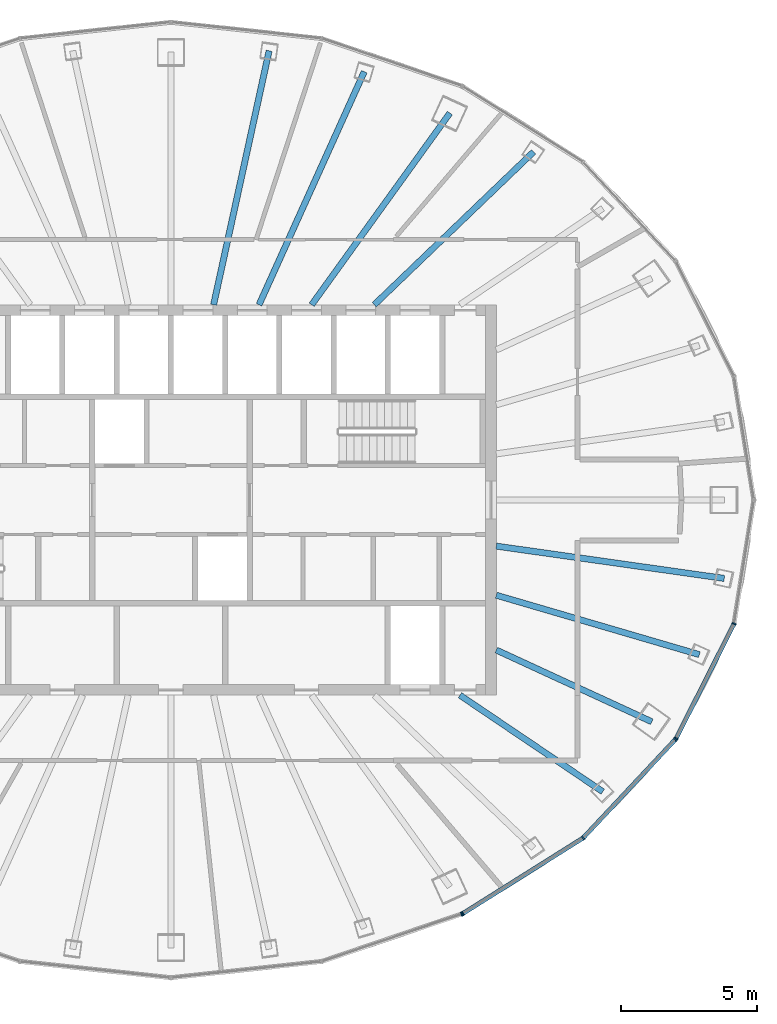
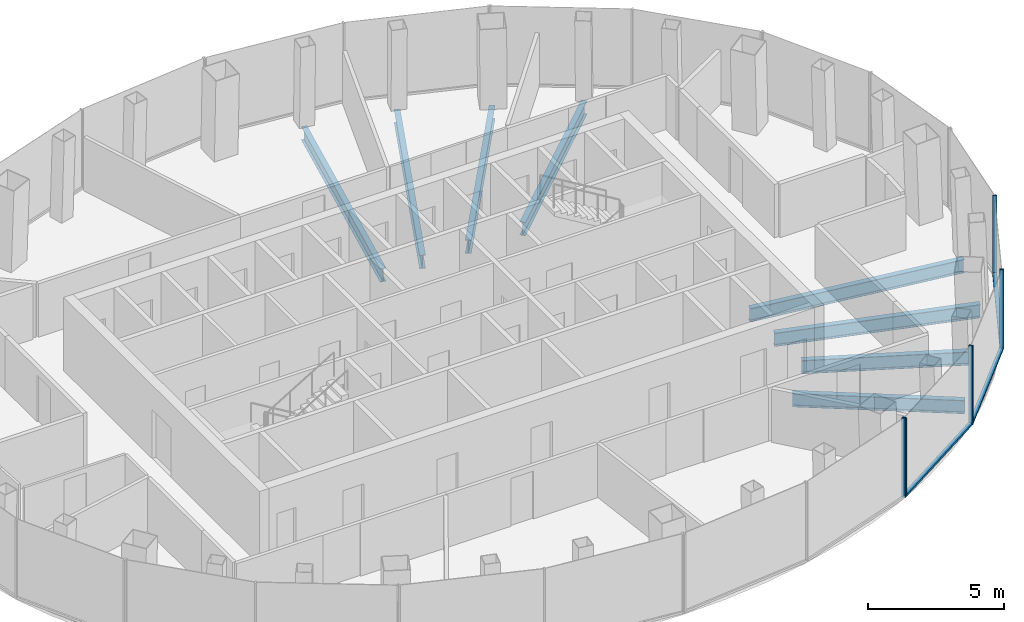
# One storey, part 5 of 12: 9 members, 8 beams, 3 elements without a shape of their own.
"""IFC4 building model written with IfcOpenShell, lengths in metres."""

from ifc_helpers import new_model, si_unit, direction, frame, origin, origin_2d, place, context, subcontext, project, spatial, rectangle, i_section, extrude, material, layer, layer_set, material_profile, profile_set, type_object, element, aggregate, save


model = new_model("IFC4")

# Units and contexts
model_context = context("Model", 3, precision=1e-05, world=origin(), true_north=direction((0.0, 1.0)))
body_context = subcontext(model_context, "Body", "Model", "MODEL_VIEW")
ifc_project = project(units=[si_unit("LENGTHUNIT", "METRE"), si_unit("AREAUNIT", "SQUARE_METRE"), si_unit("VOLUMEUNIT", "CUBIC_METRE"), si_unit("PLANEANGLEUNIT", "RADIAN"), si_unit("MASSUNIT", "GRAM", prefix="KILO")], contexts=[model_context])

# Site, building, storey
site_placement = place(None, origin())
site = spatial("IfcSite", under=ifc_project, at=site_placement, CompositionType="ELEMENT")
building_placement = place(site_placement, origin())
building = spatial("IfcBuilding", under=site, at=building_placement, Name="Siaravel Broadcast Tower", CompositionType="ELEMENT")
storey_placement = place(building_placement, frame((0.0, 0.0, 231.89990234375)))
storey = spatial("IfcBuildingStorey", under=building, at=storey_placement, Name="L56", CompositionType="ELEMENT", Elevation=231.89990234375)

# Beams
ifc_material_1 = material(Name="Steel S355", Category="steel")
ifc_material_profile_1 = material_profile(ifc_material_1, i_section(OverallWidth=0.2275390625, OverallDepth=0.6025390625, WebThickness=0.010498046875, FlangeThickness=0.014892578125, FilletRadius=0.0126953125, at=origin_2d()))
ifc_profile_set_1 = profile_set([ifc_material_profile_1], Name="Steel S355")
beam_type = type_object("IfcBeamType", Name="BM-UB 610x229x101", PredefinedType="BEAM", material=ifc_profile_set_1)
beam_1_placement = place(storey_placement, frame((13.377197265625, 12.841552734375, -0.451171875), z_axis=(-0.721404089, -0.692514361, 0.0), x_axis=(0.692514361, -0.721404089, 0.0)))
element("IfcBeam", 1, at=beam_1_placement, inside=storey, type_object=beam_type, Name="Radial beam RB06", PredefinedType="BEAM", context=body_context, shape_type="SweptSolid", body=[
    extrude(i_section(OverallWidth=0.2275390625, OverallDepth=0.6025390625, WebThickness=0.010498046875, FlangeThickness=0.014892578125, FilletRadius=0.0126953125, at=origin_2d()), origin(), (0.0, 0.0, 1.0), 8.146484375),
])
beam_2_placement = place(storey_placement, frame((10.28759765625, 14.2685546875, -0.451171875), z_axis=(-0.584818295, -0.811164324, 0.0), x_axis=(0.811164324, -0.584818295, 0.0)))
element("IfcBeam", 2, at=beam_2_placement, inside=storey, type_object=beam_type, Name="Radial beam RB07", PredefinedType="BEAM", context=body_context, shape_type="SweptSolid", body=[
    extrude(i_section(OverallWidth=0.2275390625, OverallDepth=0.6025390625, WebThickness=0.010498046875, FlangeThickness=0.014892578125, FilletRadius=0.0126953125, at=origin_2d()), origin(), (0.0, 0.0, 1.0), 8.714111328125),
])
beam_3_placement = place(storey_placement, frame((7.13037109375, 15.79443359375, -0.451171875), z_axis=(-0.411454915, -0.911430114, 0.0), x_axis=(0.911430114, -0.411454915, 0.0)))
element("IfcBeam", 3, at=beam_3_placement, inside=storey, type_object=beam_type, Name="Radial beam RB08", PredefinedType="BEAM", context=body_context, shape_type="SweptSolid", body=[
    extrude(i_section(OverallWidth=0.2275390625, OverallDepth=0.6025390625, WebThickness=0.010498046875, FlangeThickness=0.014892578125, FilletRadius=0.0126953125, at=origin_2d()), origin(), (0.0, 0.0, 1.0), 9.4296875),
])
beam_4_placement = place(storey_placement, frame((3.621826171875, 16.564453125, -0.451171875), z_axis=(-0.213609528, -0.976919121, 0.0), x_axis=(0.976919121, -0.213609528, 0.0)))
element("IfcBeam", 4, at=beam_4_placement, inside=storey, type_object=beam_type, Name="Radial beam RB09", PredefinedType="BEAM", context=body_context, shape_type="SweptSolid", body=[
    extrude(i_section(OverallWidth=0.2275390625, OverallDepth=0.6025390625, WebThickness=0.010498046875, FlangeThickness=0.014892578125, FilletRadius=0.0126953125, at=origin_2d()), origin(), (0.0, 0.0, 1.0), 9.585693359375),
])
beam_5_placement = place(storey_placement, frame((15.92333984375, -10.756103515625, -0.451171875), z_axis=(-0.828653044, 0.559762568, 0.0), x_axis=(-0.559762568, -0.828653044, 0.0)))
element("IfcBeam", 5, at=beam_5_placement, inside=storey, type_object=beam_type, Name="Radial beam RB33", PredefinedType="BEAM", context=body_context, shape_type="SweptSolid", body=[
    extrude(i_section(OverallWidth=0.2275390625, OverallDepth=0.6025390625, WebThickness=0.010498046875, FlangeThickness=0.014892578125, FilletRadius=0.0126953125, at=origin_2d()), origin(), (0.0, 0.0, 1.0), 6.35302734375),
])
beam_6_placement = place(storey_placement, frame((17.734375, -8.17822265625, -0.451171875), z_axis=(-0.90810078, 0.418751684, 0.0), x_axis=(-0.418751684, -0.90810078, 0.0)))
element("IfcBeam", 6, at=beam_6_placement, inside=storey, type_object=beam_type, Name="Radial beam RB34", PredefinedType="BEAM", context=body_context, shape_type="SweptSolid", body=[
    extrude(i_section(OverallWidth=0.2275390625, OverallDepth=0.6025390625, WebThickness=0.010498046875, FlangeThickness=0.014892578125, FilletRadius=0.0126953125, at=origin_2d()), origin(), (0.0, 0.0, 1.0), 6.314697265625),
])
beam_7_placement = place(storey_placement, frame((19.4873046875, -5.702880859375, -0.451171875), z_axis=(-0.959745843, 0.280869928, 0.0), x_axis=(-0.280869928, -0.959745843, 0.0)))
element("IfcBeam", 7, at=beam_7_placement, inside=storey, type_object=beam_type, Name="Radial beam RB35", PredefinedType="BEAM", context=body_context, shape_type="SweptSolid", body=[
    extrude(i_section(OverallWidth=0.2275390625, OverallDepth=0.6025390625, WebThickness=0.010498046875, FlangeThickness=0.014892578125, FilletRadius=0.0126953125, at=origin_2d()), origin(), (0.0, 0.0, 1.0), 7.80126953125),
])
beam_8_placement = place(storey_placement, frame((20.406982421875, -2.89208984375, -0.451171875), z_axis=(-0.990107016, 0.14031428, 0.0), x_axis=(-0.14031428, -0.990107016, 0.0)))
element("IfcBeam", 8, at=beam_8_placement, inside=storey, type_object=beam_type, Name="Radial beam RB36", PredefinedType="BEAM", context=body_context, shape_type="SweptSolid", body=[
    extrude(i_section(OverallWidth=0.2275390625, OverallDepth=0.6025390625, WebThickness=0.010498046875, FlangeThickness=0.014892578125, FilletRadius=0.0126953125, at=origin_2d()), origin(), (0.0, 0.0, 1.0), 8.490966796875),
])

# Curtain wall, member
ifc_material_2 = material(Name="Aluminium 6063-T6", Category="aluminium")
ifc_layer = layer(ifc_material_2, 0.159912109375)
ifc_layer_set = layer_set([ifc_layer], Name="Aluminium 6063-T6")
curtain_wall_type = type_object("IfcCurtainWallType", Name="Unitised curtain wall, zone 4", PredefinedType="NOTDEFINED", material=ifc_layer_set)
curtain_wall_1_placement = place(storey_placement, origin())
curtain_wall_1 = element("IfcCurtainWall", 9, at=curtain_wall_1_placement, inside=storey, type_object=curtain_wall_type, Name="L56 Unitised curtain wall, zone 4 10", PredefinedType="NOTDEFINED")
ifc_material_profile_2 = material_profile(ifc_material_2, rectangle(XDim=0.159912109375, YDim=0.054931640625, at=origin_2d()))
ifc_profile_set_2 = profile_set([ifc_material_profile_2], Name="Aluminium 6063-T6")
member_type_1 = type_object("IfcMemberType", Name="CW-Z4 mullion", PredefinedType="MULLION", material=ifc_profile_set_2)
member_1_placement = place(storey_placement, frame((10.72119140625, -15.271484375, 0.0), z_axis=(0.0, 0.0, 1.0), x_axis=(-0.321301352, 0.946977002, 0.0)))
member_1 = element("IfcMember", 10, at=member_1_placement, type_object=member_type_1, Name="CW-Z4 mullion 3", PredefinedType="MULLION", context=body_context, shape_type="SweptSolid", body=[
    extrude(rectangle(XDim=0.159912109375, YDim=0.054931640625, at=origin_2d()), origin(), (0.0, 0.0, 1.0), 3.550048828125),
])
aggregate(curtain_wall_1, [member_1])

# Curtain wall, members
curtain_wall_2_placement = place(storey_placement, origin())
curtain_wall_2 = element("IfcCurtainWall", 11, at=curtain_wall_2_placement, inside=storey, type_object=curtain_wall_type, Name="L56 Unitised curtain wall, zone 4 11", PredefinedType="NOTDEFINED")
member_2_placement = place(storey_placement, frame((10.770751953125, -15.248046875, 0.0), z_axis=(0.0, 0.0, 1.0), x_axis=(-0.532150293, 0.846649907, 0.0)))
member_2 = element("IfcMember", 12, at=member_2_placement, type_object=member_type_1, Name="CW-Z4 mullion 1", PredefinedType="MULLION", context=body_context, shape_type="SweptSolid", body=[
    extrude(rectangle(XDim=0.159912109375, YDim=0.054931640625, at=origin_2d()), origin(), (0.0, 0.0, 1.0), 3.550048828125),
])
member_3_placement = place(storey_placement, frame((15.200439453125, -12.463623046875, 0.0), z_axis=(0.0, 0.0, 1.0), x_axis=(-0.636219746, 0.771507897, 0.0)))
member_3 = element("IfcMember", 13, at=member_3_placement, type_object=member_type_1, Name="CW-Z4 mullion 2", PredefinedType="MULLION", context=body_context, shape_type="SweptSolid", body=[
    extrude(rectangle(XDim=0.159912109375, YDim=0.054931640625, at=origin_2d()), origin(), (0.0, 0.0, 1.0), 3.550048828125),
])
member_4_placement = place(storey_placement, frame((18.60009765625, -8.834716796875, 0.0), z_axis=(0.0, 0.0, 1.0), x_axis=(-0.72980635, 0.683653927, 0.0)))
member_4 = element("IfcMember", 14, at=member_4_placement, type_object=member_type_1, Name="CW-Z4 mullion 3", PredefinedType="MULLION", context=body_context, shape_type="SweptSolid", body=[
    extrude(rectangle(XDim=0.159912109375, YDim=0.054931640625, at=origin_2d()), origin(), (0.0, 0.0, 1.0), 3.550048828125),
])

curtain_wall_3_placement = place(storey_placement, origin())
curtain_wall_3 = element("IfcCurtainWall", 15, at=curtain_wall_3_placement, inside=storey, type_object=curtain_wall_type, Name="L56 Unitised curtain wall, zone 4 12", PredefinedType="NOTDEFINED")
member_5_placement = place(storey_placement, frame((18.63134765625, -8.7900390625, 0.0), z_axis=(0.0, 0.0, 1.0), x_axis=(-0.89239278, 0.451259489, 0.0)))
member_5 = element("IfcMember", 16, at=member_5_placement, type_object=member_type_1, Name="CW-Z4 mullion 1", PredefinedType="MULLION", context=body_context, shape_type="SweptSolid", body=[
    extrude(rectangle(XDim=0.159912109375, YDim=0.054931640625, at=origin_2d()), origin(), (0.0, 0.0, 1.0), 3.550048828125),
])
member_6_placement = place(storey_placement, frame((20.7685546875, -4.5634765625, 0.0), z_axis=(0.0, 0.0, 1.0), x_axis=(-0.951177556, 0.308644223, 0.0)))
member_6 = element("IfcMember", 17, at=member_6_placement, type_object=member_type_1, Name="CW-Z4 mullion 2", PredefinedType="MULLION", context=body_context, shape_type="SweptSolid", body=[
    extrude(rectangle(XDim=0.159912109375, YDim=0.054931640625, at=origin_2d()), origin(), (0.0, 0.0, 1.0), 3.550048828125),
])

# Member
ifc_material_profile_3 = material_profile(ifc_material_2, rectangle(XDim=0.159912109375, YDim=0.090087890625, at=origin_2d()))
ifc_profile_set_3 = profile_set([ifc_material_profile_3], Name="Aluminium 6063-T6")
member_type_2 = type_object("IfcMemberType", Name="CW-Z4 transom", PredefinedType="USERDEFINED", material=ifc_profile_set_3)
member_7_placement = place(storey_placement, frame((10.7939453125, -15.2333984375, 0.045166015625), z_axis=(0.846644441, 0.53215899, 0.0), x_axis=(-0.53215899, 0.846644441, 0.0)))
member_7 = element("IfcMember", 18, at=member_7_placement, type_object=member_type_2, Name="CW-Z4 transom 1", ObjectType="TRANSOM", PredefinedType="USERDEFINED", context=body_context, shape_type="SweptSolid", body=[
    extrude(rectangle(XDim=0.159912109375, YDim=0.090087890625, at=origin_2d()), origin(), (0.0, 0.0, 1.0), 5.17724609375),
])

member_8_placement = place(storey_placement, frame((15.21923828125, -12.443603515625, 0.045166015625), z_axis=(0.68367025, 0.729791059, 0.0), x_axis=(-0.729791059, 0.68367025, 0.0)))
member_8 = element("IfcMember", 19, at=member_8_placement, type_object=member_type_2, Name="CW-Z4 transom 2", ObjectType="TRANSOM", PredefinedType="USERDEFINED", context=body_context, shape_type="SweptSolid", body=[
    extrude(rectangle(XDim=0.159912109375, YDim=0.090087890625, at=origin_2d()), origin(), (0.0, 0.0, 1.0), 4.917724609375),
])

aggregate(curtain_wall_2, [member_2, member_3, member_4, member_7, member_8])

member_9_placement = place(storey_placement, frame((18.643798828125, -8.765380859375, 0.045166015625), z_axis=(0.451235344, 0.892404989, 0.0), x_axis=(-0.892404989, 0.451235344, 0.0)))
member_9 = element("IfcMember", 20, at=member_9_placement, type_object=member_type_2, Name="CW-Z4 transom 1", ObjectType="TRANSOM", PredefinedType="USERDEFINED", context=body_context, shape_type="SweptSolid", body=[
    extrude(rectangle(XDim=0.159912109375, YDim=0.090087890625, at=origin_2d()), origin(), (0.0, 0.0, 1.0), 4.68115234375),
])

aggregate(curtain_wall_3, [member_5, member_6, member_9])

save(model, "model.ifc")
